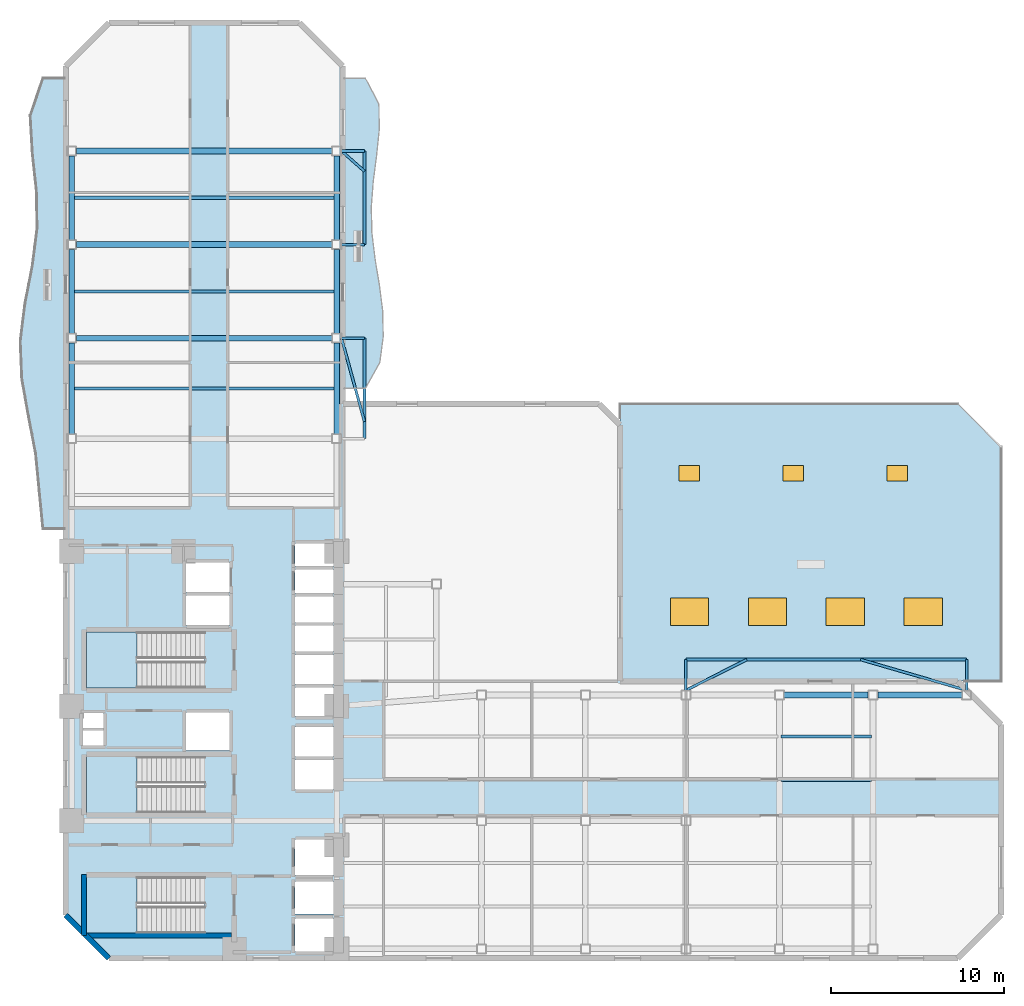
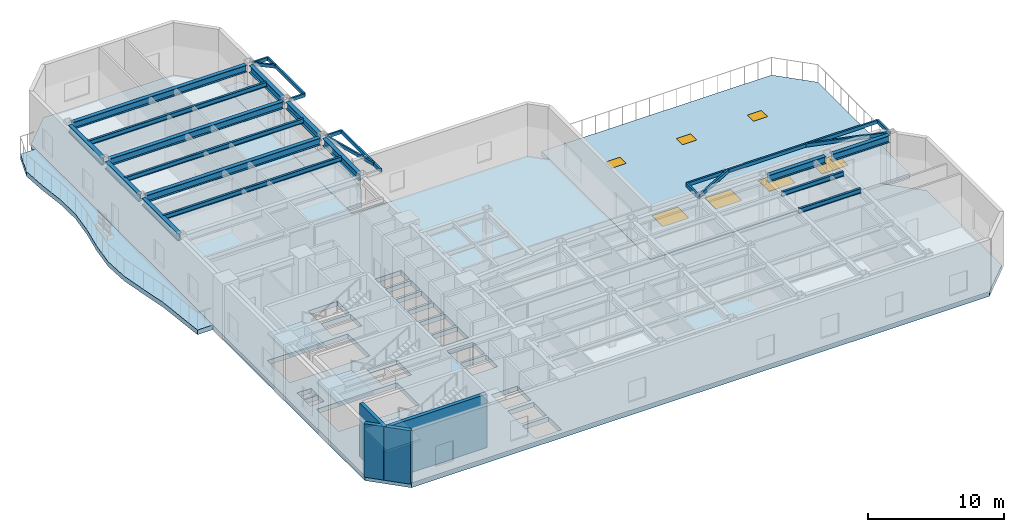
# One storey, part 2 of 10: 28 beams, 7 slabs, 4 windows, 3 doors, 3 walls, 7 openings, 3 elements without a shape of their own.
"""IFC4 building model written with IfcOpenShell, lengths in metres."""

from ifc_helpers import new_model, si_unit, direction, frame, frame_2d, origin, origin_2d, place, context, subcontext, project, spatial, polyline, rectangle, hollow_rectangle, i_section, outline, extrude, material, layer, layer_set, material_profile, profile_set, type_object, element, fill, aggregate, save


model = new_model("IFC4")

# Units and contexts
model_context = context("Model", 3, precision=1e-05, world=origin(), true_north=direction((0.0, 1.0)))
body_context = subcontext(model_context, "Body", "Model", "MODEL_VIEW")
ifc_project = project(units=[si_unit("LENGTHUNIT", "METRE"), si_unit("AREAUNIT", "SQUARE_METRE"), si_unit("VOLUMEUNIT", "CUBIC_METRE"), si_unit("PLANEANGLEUNIT", "RADIAN"), si_unit("MASSUNIT", "GRAM", prefix="KILO")], contexts=[model_context])

# Site, building, storey
site_placement = place(None, origin())
site = spatial("IfcSite", under=ifc_project, at=site_placement, CompositionType="ELEMENT")
building_placement = place(site_placement, origin())
building = spatial("IfcBuilding", under=site, at=building_placement, Name="Mawjaban Terraces University", CompositionType="ELEMENT")
storey_placement = place(building_placement, frame((0.0, 0.0, 26.0)))
storey = spatial("IfcBuildingStorey", under=building, at=storey_placement, Name="L05", CompositionType="ELEMENT", Elevation=26.0)

# Beams
ifc_material_1 = material(Name="Steel EN 10210-1 S355J2H", Category="steel")
ifc_material_profile_1 = material_profile(ifc_material_1, hollow_rectangle(XDim=0.14990234375, YDim=0.300048828125, WallThickness=0.012451171875, at=origin_2d()), Name="RHS300X150X12.5")
ifc_profile_set_1 = profile_set([ifc_material_profile_1], Name="Steel EN 10210-1 S355J2H")
beam_type_1 = type_object("IfcBeamType", Name="BalconyCantileverSpandrel_RHS", PredefinedType="SPANDREL", material=ifc_profile_set_1)
for number, where, z_axis, x_axis, name in (
    (1, (57.800048828125, 15.47509765625, 4.639892578125), (0.0, 1.0, 0.0), (-1.0, 0.0, 0.0), "L05 Exterior Outrigger BAL-L06-N.1"),
    (2, (74.0, 15.47509765625, 4.639892578125), (0.0, 1.0, 0.0), (-1.0, 0.0, 0.0), "L05 Exterior Outrigger BAL-L06-N.2"),
):
    element("IfcBeam", number, at=place(storey_placement, frame(where, z_axis=z_axis, x_axis=x_axis)), inside=storey, type_object=beam_type_1, Name=name, PredefinedType="SPANDREL", context=body_context, shape_type="SweptSolid", body=[
        extrude(hollow_rectangle(XDim=0.14990234375, YDim=0.300048828125, WallThickness=0.012451171875, at=origin_2d()), origin(), (0.0, 0.0, 1.0), 1.77490234375),
    ])
beam_1_placement = place(storey_placement, frame((57.800048828125, 17.25, 4.639892578125), z_axis=(1.0, 0.0, 0.0), x_axis=(0.0, 1.0, 0.0)))
element("IfcBeam", 3, at=beam_1_placement, inside=storey, type_object=beam_type_1, Name="L05 Exterior Edge Spandrel BAL-L06-N", PredefinedType="SPANDREL", context=body_context, shape_type="SweptSolid", body=[
    extrude(hollow_rectangle(XDim=0.14990234375, YDim=0.300048828125, WallThickness=0.012451171875, at=origin_2d()), origin(), (0.0, 0.0, 1.0), 16.199951171875),
])
beam_2_placement = place(storey_placement, frame((57.800048828125, 15.47509765625, 4.639892578125), z_axis=(0.892910985916, 0.450233240922, 0.0), x_axis=(-0.450233240922, 0.892910985916, 0.0)))
element("IfcBeam", 4, at=beam_2_placement, inside=storey, type_object=beam_type_1, Name="L05 Exterior Diagonal Strut BAL-L06-N.1", PredefinedType="SPANDREL", context=body_context, shape_type="SweptSolid", body=[
    extrude(hollow_rectangle(XDim=0.14990234375, YDim=0.300048828125, WallThickness=0.012451171875, at=origin_2d()), origin(), (0.0, 0.0, 1.0), 3.942138671875),
])
beam_3_placement = place(storey_placement, frame((74.0, 15.47509765625, 4.639892578125), z_axis=(-0.960426269064, 0.278534345624, 0.0), x_axis=(-0.278534345624, -0.960426269064, 0.0)))
element("IfcBeam", 5, at=beam_3_placement, inside=storey, type_object=beam_type_1, Name="L05 Exterior Diagonal Strut BAL-L06-N.2", PredefinedType="SPANDREL", context=body_context, shape_type="SweptSolid", body=[
    extrude(hollow_rectangle(XDim=0.14990234375, YDim=0.300048828125, WallThickness=0.012451171875, at=origin_2d()), origin(), (0.0, 0.0, 1.0), 6.372314453125),
])
for number, where, z_axis, x_axis, name in (
    (6, (37.925048828125, 41.199951171875, 4.639892578125), (1.0, 0.0, 0.0), (0.0, 1.0, 0.0), "L05 Exterior Outrigger BAL-L06-E.1"),
    (7, (37.925048828125, 46.60009765625, 4.639892578125), (1.0, 0.0, 0.0), (0.0, 1.0, 0.0), "L05 Exterior Outrigger BAL-L06-E.2"),
):
    element("IfcBeam", number, at=place(storey_placement, frame(where, z_axis=z_axis, x_axis=x_axis)), inside=storey, type_object=beam_type_1, Name=name, PredefinedType="SPANDREL", context=body_context, shape_type="SweptSolid", body=[
        extrude(hollow_rectangle(XDim=0.14990234375, YDim=0.300048828125, WallThickness=0.012451171875, at=origin_2d()), origin(), (0.0, 0.0, 1.0), 1.324951171875),
    ])
beam_4_placement = place(storey_placement, frame((39.25, 41.199951171875, 4.639892578125), z_axis=(0.0, 1.0, 0.0), x_axis=(-1.0, 0.0, 0.0)))
element("IfcBeam", 8, at=beam_4_placement, inside=storey, type_object=beam_type_1, Name="L05 Exterior Edge Spandrel BAL-L06-E", PredefinedType="SPANDREL", context=body_context, shape_type="SweptSolid", body=[
    extrude(hollow_rectangle(XDim=0.14990234375, YDim=0.300048828125, WallThickness=0.012451171875, at=origin_2d()), origin(), (0.0, 0.0, 1.0), 5.400146484375),
])
beam_5_placement = place(storey_placement, frame((37.925048828125, 46.60009765625, 4.639892578125), z_axis=(0.749531457525, -0.661968725984, 0.0), x_axis=(0.661968725984, 0.749531457525, 0.0)))
element("IfcBeam", 9, at=beam_5_placement, inside=storey, type_object=beam_type_1, Name="L05 Exterior Diagonal Strut BAL-L06-E.2", PredefinedType="SPANDREL", context=body_context, shape_type="SweptSolid", body=[
    extrude(hollow_rectangle(XDim=0.14990234375, YDim=0.300048828125, WallThickness=0.012451171875, at=origin_2d()), origin(), (0.0, 0.0, 1.0), 1.767822265625),
])
beam_6_placement = place(storey_placement, frame((37.925048828125, 35.800048828125, 4.639892578125), z_axis=(1.0, 0.0, 0.0), x_axis=(0.0, 1.0, 0.0)))
element("IfcBeam", 10, at=beam_6_placement, inside=storey, type_object=beam_type_1, Name="L05 Exterior Outrigger TER-L06-CLIMB.2", PredefinedType="SPANDREL", context=body_context, shape_type="SweptSolid", body=[
    extrude(hollow_rectangle(XDim=0.14990234375, YDim=0.300048828125, WallThickness=0.012451171875, at=origin_2d()), origin(), (0.0, 0.0, 1.0), 1.324951171875),
])
beam_7_placement = place(storey_placement, frame((39.25, 30.0, 4.639892578125), z_axis=(0.0, 1.0, 0.0), x_axis=(-1.0, 0.0, 0.0)))
element("IfcBeam", 11, at=beam_7_placement, inside=storey, type_object=beam_type_1, Name="L05 Exterior Edge Spandrel TER-L06-CLIMB", PredefinedType="SPANDREL", context=body_context, shape_type="SweptSolid", body=[
    extrude(hollow_rectangle(XDim=0.14990234375, YDim=0.300048828125, WallThickness=0.012451171875, at=origin_2d()), origin(), (0.0, 0.0, 1.0), 5.800048828125),
])
beam_8_placement = place(storey_placement, frame((37.925048828125, 35.800048828125, 4.639892578125), z_axis=(0.265050913612, -0.964234418175, 0.0), x_axis=(0.964234418175, 0.265050913612, 0.0)))
element("IfcBeam", 12, at=beam_8_placement, inside=storey, type_object=beam_type_1, Name="L05 Exterior Diagonal Strut TER-L06-CLIMB.2", PredefinedType="SPANDREL", context=body_context, shape_type="SweptSolid", body=[
    extrude(hollow_rectangle(XDim=0.14990234375, YDim=0.300048828125, WallThickness=0.012451171875, at=origin_2d()), origin(), (0.0, 0.0, 1.0), 4.998779296875),
])
ifc_material_2 = material(Name="Steel ASTM A572 Grade 50", Category="steel")
ifc_material_profile_2 = material_profile(ifc_material_2, i_section(OverallWidth=0.3291015625, OverallDepth=0.635009765625, WebThickness=0.017822265625, FlangeThickness=0.031005859375, at=origin_2d()), Name="W610X241")
ifc_profile_set_2 = profile_set([ifc_material_profile_2], Name="Steel ASTM A572 Grade 50")
beam_type_2 = type_object("IfcBeamType", Name="Beam_B_W610X241", PredefinedType="BEAM", material=ifc_profile_set_2)
beam_9_placement = place(storey_placement, frame((63.47509765625, 15.199951171875, 4.472900390625), z_axis=(1.0, 0.0, 0.0), x_axis=(0.0, 1.0, 0.0)))
element("IfcBeam", 13, at=beam_9_placement, inside=storey, type_object=beam_type_2, Name="L05 Beam BM-L05-EW-12", PredefinedType="BEAM", context=body_context, shape_type="SweptSolid", body=[
    extrude(i_section(OverallWidth=0.3291015625, OverallDepth=0.635009765625, WebThickness=0.017822265625, FlangeThickness=0.031005859375, at=origin_2d()), origin(), (0.0, 0.0, 1.0), 4.849853515625),
])
beam_10_placement = place(storey_placement, frame((68.875, 15.199951171875, 4.472900390625), z_axis=(1.0, 0.0, 0.0), x_axis=(0.0, 1.0, 0.0)))
element("IfcBeam", 14, at=beam_10_placement, inside=storey, type_object=beam_type_2, Name="L05 Beam BM-L05-EW-13", PredefinedType="BEAM", context=body_context, shape_type="SweptSolid", body=[
    extrude(i_section(OverallWidth=0.3291015625, OverallDepth=0.635009765625, WebThickness=0.017822265625, FlangeThickness=0.031005859375, at=origin_2d()), origin(), (0.0, 0.0, 1.0), 4.85009765625),
])
for number, where, z_axis, x_axis, name in (
    (15, (22.625, 35.800048828125, 4.472900390625), (1.0, 0.0, 0.0), (0.0, 1.0, 0.0), "L05 Beam BM-L05-EW-16"),
    (16, (22.625, 41.199951171875, 4.472900390625), (1.0, 0.0, 0.0), (0.0, 1.0, 0.0), "L05 Beam BM-L05-EW-17"),
    (17, (22.625, 46.60009765625, 4.472900390625), (1.0, 0.0, 0.0), (0.0, 1.0, 0.0), "L05 Beam BM-L05-EW-18"),
):
    element("IfcBeam", number, at=place(storey_placement, frame(where, z_axis=z_axis, x_axis=x_axis)), inside=storey, type_object=beam_type_2, Name=name, PredefinedType="BEAM", context=body_context, shape_type="SweptSolid", body=[
        extrude(i_section(OverallWidth=0.3291015625, OverallDepth=0.635009765625, WebThickness=0.017822265625, FlangeThickness=0.031005859375, at=origin_2d()), origin(), (0.0, 0.0, 1.0), 14.75),
    ])
beam_11_placement = place(storey_placement, frame((22.35009765625, 30.27490234375, 4.472900390625), z_axis=(0.0, 1.0, 0.0), x_axis=(-1.0, 0.0, 0.0)))
element("IfcBeam", 18, at=beam_11_placement, inside=storey, type_object=beam_type_2, Name="L05 Beam BM-L05-NS-04", PredefinedType="BEAM", context=body_context, shape_type="SweptSolid", body=[
    extrude(i_section(OverallWidth=0.3291015625, OverallDepth=0.635009765625, WebThickness=0.017822265625, FlangeThickness=0.031005859375, at=origin_2d()), origin(), (0.0, 0.0, 1.0), 5.25),
])
beam_12_placement = place(storey_placement, frame((22.35009765625, 36.074951171875, 4.472900390625), z_axis=(0.0, 1.0, 0.0), x_axis=(-1.0, 0.0, 0.0)))
element("IfcBeam", 19, at=beam_12_placement, inside=storey, type_object=beam_type_2, Name="L05 Beam BM-L05-NS-05", PredefinedType="BEAM", context=body_context, shape_type="SweptSolid", body=[
    extrude(i_section(OverallWidth=0.3291015625, OverallDepth=0.635009765625, WebThickness=0.017822265625, FlangeThickness=0.031005859375, at=origin_2d()), origin(), (0.0, 0.0, 1.0), 4.85009765625),
])
beam_13_placement = place(storey_placement, frame((22.35009765625, 41.47509765625, 4.472900390625), z_axis=(0.0, 1.0, 0.0), x_axis=(-1.0, 0.0, 0.0)))
element("IfcBeam", 20, at=beam_13_placement, inside=storey, type_object=beam_type_2, Name="L05 Beam BM-L05-NS-06", PredefinedType="BEAM", context=body_context, shape_type="SweptSolid", body=[
    extrude(i_section(OverallWidth=0.3291015625, OverallDepth=0.635009765625, WebThickness=0.017822265625, FlangeThickness=0.031005859375, at=origin_2d()), origin(), (0.0, 0.0, 1.0), 4.849853515625),
])
beam_14_placement = place(storey_placement, frame((37.64990234375, 30.27490234375, 4.472900390625), z_axis=(0.0, 1.0, 0.0), x_axis=(-1.0, 0.0, 0.0)))
element("IfcBeam", 21, at=beam_14_placement, inside=storey, type_object=beam_type_2, Name="L05 Beam BM-L05-NS-11", PredefinedType="BEAM", context=body_context, shape_type="SweptSolid", body=[
    extrude(i_section(OverallWidth=0.3291015625, OverallDepth=0.635009765625, WebThickness=0.017822265625, FlangeThickness=0.031005859375, at=origin_2d()), origin(), (0.0, 0.0, 1.0), 5.25),
])
beam_15_placement = place(storey_placement, frame((37.64990234375, 36.074951171875, 4.472900390625), z_axis=(0.0, 1.0, 0.0), x_axis=(-1.0, 0.0, 0.0)))
element("IfcBeam", 22, at=beam_15_placement, inside=storey, type_object=beam_type_2, Name="L05 Beam BM-L05-NS-12", PredefinedType="BEAM", context=body_context, shape_type="SweptSolid", body=[
    extrude(i_section(OverallWidth=0.3291015625, OverallDepth=0.635009765625, WebThickness=0.017822265625, FlangeThickness=0.031005859375, at=origin_2d()), origin(), (0.0, 0.0, 1.0), 4.85009765625),
])
beam_16_placement = place(storey_placement, frame((37.64990234375, 41.47509765625, 4.472900390625), z_axis=(0.0, 1.0, 0.0), x_axis=(-1.0, 0.0, 0.0)))
element("IfcBeam", 23, at=beam_16_placement, inside=storey, type_object=beam_type_2, Name="L05 Beam BM-L05-NS-13", PredefinedType="BEAM", context=body_context, shape_type="SweptSolid", body=[
    extrude(i_section(OverallWidth=0.3291015625, OverallDepth=0.635009765625, WebThickness=0.017822265625, FlangeThickness=0.031005859375, at=origin_2d()), origin(), (0.0, 0.0, 1.0), 4.849853515625),
])
ifc_material_profile_3 = material_profile(ifc_material_2, i_section(OverallWidth=0.179931640625, OverallDepth=0.4130859375, WebThickness=0.009765625, FlangeThickness=0.01611328125, at=origin_2d()), Name="W410X74")
ifc_profile_set_3 = profile_set([ifc_material_profile_3], Name="Steel ASTM A572 Grade 50")
beam_type_3 = type_object("IfcBeamType", Name="Beam_J_W410X74", PredefinedType="JOIST", material=ifc_profile_set_3)
for number, where, z_axis, x_axis, name in (
    (24, (63.280029296875, 10.300048828125, 4.583984375), (1.0, 0.0, 0.0), (0.0, 1.0, 0.0), "L05 Composite Joist JST-L05-15"),
    (25, (63.280029296875, 12.800048828125, 4.583984375), (1.0, 0.0, 0.0), (0.0, 1.0, 0.0), "L05 Composite Joist JST-L05-20"),
):
    element("IfcBeam", number, at=place(storey_placement, frame(where, z_axis=z_axis, x_axis=x_axis)), inside=storey, type_object=beam_type_3, Name=name, PredefinedType="JOIST", context=body_context, shape_type="SweptSolid", body=[
        extrude(i_section(OverallWidth=0.179931640625, OverallDepth=0.4130859375, WebThickness=0.009765625, FlangeThickness=0.01611328125, at=origin_2d()), origin(), (0.0, 0.0, 1.0), 5.239990234375),
    ])
for number, where, z_axis, x_axis, name in (
    (26, (22.429931640625, 32.89990234375, 4.583984375), (1.0, 0.0, 0.0), (0.0, 1.0, 0.0), "L05 Composite Joist JST-L05-23"),
    (27, (22.429931640625, 38.5, 4.583984375), (1.0, 0.0, 0.0), (0.0, 1.0, 0.0), "L05 Composite Joist JST-L05-24"),
    (28, (22.429931640625, 43.89990234375, 4.583984375), (1.0, 0.0, 0.0), (0.0, 1.0, 0.0), "L05 Composite Joist JST-L05-25"),
):
    element("IfcBeam", number, at=place(storey_placement, frame(where, z_axis=z_axis, x_axis=x_axis)), inside=storey, type_object=beam_type_3, Name=name, PredefinedType="JOIST", context=body_context, shape_type="SweptSolid", body=[
        extrude(i_section(OverallWidth=0.179931640625, OverallDepth=0.4130859375, WebThickness=0.009765625, FlangeThickness=0.01611328125, at=origin_2d()), origin(), (0.0, 0.0, 1.0), 15.14013671875),
    ])

# Slabs
ifc_material_3 = material(Name="Concrete C50/60", Category="concrete")
ifc_layer_1 = layer(ifc_material_3, 0.419921875)
ifc_layer_set_1 = layer_set([ifc_layer_1], Name="Concrete C50/60")
slab_type_1 = type_object("IfcSlabType", Name="BalconySlab_420_Ext", PredefinedType="FLOOR", material=ifc_layer_set_1)
slab_1_placement = place(storey_placement, frame((0.0, 0.0, -0.419921875)))
element("IfcSlab", 29, at=slab_1_placement, inside=storey, type_object=slab_type_1, Name="L05 Planted Balcony Slab west", PredefinedType="FLOOR", context=body_context, shape_type="SweptSolid", body=[
    extrude(outline(polyline([(22.010009765625, 24.800048828125), (22.010009765625, 50.800048828125), (20.699951171875, 50.800048828125), (19.966064453125, 48.633056640625), (20.090087890625, 46.467041015625), (20.324951171875, 44.300048828125), (20.363037109375, 42.133056640625), (20.087890625, 39.967041015625), (19.6630859375, 37.800048828125), (19.39306640625, 35.633056640625), (19.48095703125, 33.467041015625), (19.864990234375, 31.300048828125), (20.280029296875, 29.133056640625), (20.489013671875, 26.967041015625), (20.699951171875, 24.800048828125), (22.010009765625, 24.800048828125)])), origin(), (0.0, 0.0, 1.0), 0.419921875),
])
slab_2_placement = place(storey_placement, frame((0.0, 0.0, -0.419921875)))
element("IfcSlab", 30, at=slab_2_placement, inside=storey, type_object=slab_type_1, Name="L05 Planted Balcony Slab inner_east", PredefinedType="FLOOR", context=body_context, shape_type="SweptSolid", body=[
    extrude(outline(polyline([(39.300048828125, 32.89990234375), (40.135009765625, 34.39208984375), (40.330078125, 35.883056640625), (40.300048828125, 37.375), (40.10888671875, 38.866943359375), (39.863037109375, 40.35791015625), (39.679931640625, 41.85009765625), (39.64111328125, 43.342041015625), (39.7529296875, 44.8330078125), (39.947021484375, 46.324951171875), (40.10205078125, 47.81689453125), (40.08203125, 49.30810546875), (39.300048828125, 50.800048828125), (37.989990234375, 50.800048828125), (37.989990234375, 32.89990234375), (39.300048828125, 32.89990234375)])), origin(), (0.0, 0.0, 1.0), 0.419921875),
])

# Stair, slab
ifc_material_4 = material(Name="Concrete C40/50", Category="concrete")
stair_type = type_object("IfcStairType", Name="Stair_Core1550_H50", PredefinedType="HALF_TURN_STAIR", material=ifc_material_4)
stair_1_placement = place(storey_placement, origin())
stair_1 = element("IfcStair", 31, at=stair_1_placement, inside=storey, type_object=stair_type, Name="L05 Core Exit Stair 1", PredefinedType="HALF_TURN_STAIR")
ifc_layer_2 = layer(ifc_material_4, 0.199951171875)
ifc_layer_set_2 = layer_set([ifc_layer_2], Name="Concrete C40/50")
slab_type_2 = type_object("IfcSlabType", Name="StairLandingSlab_200", PredefinedType="LANDING", material=ifc_layer_set_2)
slab_3_placement = place(storey_placement, frame((0.0, 0.0, 2.300048828125)))
slab_3 = element("IfcSlab", 32, at=slab_3_placement, type_object=slab_type_2, Name="ST-1 landing 1", PredefinedType="LANDING", context=body_context, shape_type="SweptSolid", body=[
    extrude(outline(polyline([(26.1298828125, 4.699951171875), (23.199951171875, 4.699951171875), (23.199951171875, 1.449951171875), (26.1298828125, 1.449951171875), (26.1298828125, 4.699951171875)])), origin(), (0.0, 0.0, 1.0), 0.199951171875),
])
aggregate(stair_1, [slab_3])

stair_2_placement = place(storey_placement, origin())
stair_2 = element("IfcStair", 33, at=stair_2_placement, inside=storey, type_object=stair_type, Name="L05 Core Exit Stair 2", PredefinedType="HALF_TURN_STAIR")
slab_4_placement = place(storey_placement, frame((0.0, 0.0, 2.300048828125)))
slab_4 = element("IfcSlab", 34, at=slab_4_placement, type_object=slab_type_2, Name="ST-2 landing 1", PredefinedType="LANDING", context=body_context, shape_type="SweptSolid", body=[
    extrude(outline(polyline([(26.1298828125, 18.85009765625), (23.199951171875, 18.85009765625), (23.199951171875, 15.60009765625), (26.1298828125, 15.60009765625), (26.1298828125, 18.85009765625)])), origin(), (0.0, 0.0, 1.0), 0.199951171875),
])
aggregate(stair_2, [slab_4])

stair_3_placement = place(storey_placement, origin())
stair_3 = element("IfcStair", 35, at=stair_3_placement, inside=storey, type_object=stair_type, Name="L05 Core Exit Stair 3", PredefinedType="HALF_TURN_STAIR")
slab_5_placement = place(storey_placement, frame((0.0, 0.0, 2.300048828125)))
slab_5 = element("IfcSlab", 36, at=slab_5_placement, type_object=slab_type_2, Name="ST-3 landing 1", PredefinedType="LANDING", context=body_context, shape_type="SweptSolid", body=[
    extrude(outline(polyline([(26.1298828125, 11.64990234375), (23.199951171875, 11.64990234375), (23.199951171875, 8.39990234375), (26.1298828125, 8.39990234375), (26.1298828125, 11.64990234375)])), origin(), (0.0, 0.0, 1.0), 0.199951171875),
])
aggregate(stair_3, [slab_5])

# Slab, openings, doors, windows
ifc_layer_3 = layer(ifc_material_4, 0.260009765625)
ifc_layer_set_3 = layer_set([ifc_layer_3], Name="Concrete C40/50")
slab_type_3 = type_object("IfcSlabType", Name="TerraceRoofSlab_260_Ext", PredefinedType="ROOF", material=ifc_layer_set_3)
slab_6_placement = place(storey_placement, frame((0.0, 0.0, -0.419921875)))
slab_6 = element("IfcSlab", 37, at=slab_6_placement, inside=storey, type_object=slab_type_3, Name="L05 Exterior Podium Terrace Slab", PredefinedType="ROOF", context=body_context, shape_type="SweptSolid", body=[
    extrude(outline(polyline([(54.0, 16.0), (76.0, 16.0), (76.0, 29.5), (73.5, 32.0), (54.0, 32.0), (54.0, 16.0)])), origin(), (0.0, 0.0, 1.0), 0.419921875),
])
opening_1_placement = place(slab_6_placement, frame((58.0, 20.0, 0.0)))
opening_1 = element("IfcOpeningElement", 38, at=opening_1_placement, cuts=slab_6, Name="Opening SK-01", PredefinedType="OPENING", context=body_context, shape_type="SweptSolid", body=[
    extrude(rectangle(XDim=2.199951171875, YDim=1.60009765625, at=origin_2d()), origin(), (0.0, 0.0, 1.0), 0.419921875),
])
opening_2_placement = place(slab_6_placement, frame((62.5, 20.0, 0.0)))
opening_2 = element("IfcOpeningElement", 39, at=opening_2_placement, cuts=slab_6, Name="Opening SK-01", PredefinedType="OPENING", context=body_context, shape_type="SweptSolid", body=[
    extrude(rectangle(XDim=2.199951171875, YDim=1.60009765625, at=origin_2d()), origin(), (0.0, 0.0, 1.0), 0.419921875),
])
opening_3_placement = place(slab_6_placement, frame((67.0, 20.0, 0.0)))
opening_3 = element("IfcOpeningElement", 40, at=opening_3_placement, cuts=slab_6, Name="Opening SK-01", PredefinedType="OPENING", context=body_context, shape_type="SweptSolid", body=[
    extrude(rectangle(XDim=2.199951171875, YDim=1.60009765625, at=origin_2d()), origin(), (0.0, 0.0, 1.0), 0.419921875),
])
opening_4_placement = place(slab_6_placement, frame((71.5, 20.0, 0.0)))
opening_4 = element("IfcOpeningElement", 41, at=opening_4_placement, cuts=slab_6, Name="Opening SK-01", PredefinedType="OPENING", context=body_context, shape_type="SweptSolid", body=[
    extrude(rectangle(XDim=2.199951171875, YDim=1.60009765625, at=origin_2d()), origin(), (0.0, 0.0, 1.0), 0.419921875),
])
opening_5_placement = place(slab_6_placement, frame((58.0, 28.0, 0.0)))
opening_5 = element("IfcOpeningElement", 42, at=opening_5_placement, cuts=slab_6, Name="Opening RH-120", PredefinedType="OPENING", context=body_context, shape_type="SweptSolid", body=[
    extrude(rectangle(XDim=1.199951171875, YDim=0.89990234375, at=origin_2d()), origin(), (0.0, 0.0, 1.0), 0.419921875),
])
opening_6_placement = place(slab_6_placement, frame((64.0, 28.0, 0.0)))
opening_6 = element("IfcOpeningElement", 43, at=opening_6_placement, cuts=slab_6, Name="Opening RH-120", PredefinedType="OPENING", context=body_context, shape_type="SweptSolid", body=[
    extrude(rectangle(XDim=1.199951171875, YDim=0.89990234375, at=origin_2d()), origin(), (0.0, 0.0, 1.0), 0.419921875),
])
opening_7_placement = place(slab_6_placement, frame((70.0, 28.0, 0.0)))
opening_7 = element("IfcOpeningElement", 44, at=opening_7_placement, cuts=slab_6, Name="Opening RH-120", PredefinedType="OPENING", context=body_context, shape_type="SweptSolid", body=[
    extrude(rectangle(XDim=1.199951171875, YDim=0.89990234375, at=origin_2d()), origin(), (0.0, 0.0, 1.0), 0.419921875),
])
ifc_material_5 = material(Name="Thermally broken insulated aluminium roof access hatch", Category="aluminium")
door_type = type_object("IfcDoorType", Name="RoofAccessTrapdoor_1200x900", OperationType="NOTDEFINED", PredefinedType="TRAPDOOR", material=ifc_material_5)
door_1_placement = place(opening_5_placement, frame((0.0, 0.0, 0.369873046875)))
door_1 = element("IfcDoor", 45, at=door_1_placement, inside=storey, type_object=door_type, Name="L05 Podium Services Access Hatch 1", OperationType="SINGLE_SWING_LEFT", OverallHeight=0.89990234375, OverallWidth=1.199951171875, PredefinedType="TRAPDOOR", context=body_context, shape_type="SweptSolid", body=[
    extrude(rectangle(XDim=1.199951171875, YDim=0.89990234375, at=origin_2d()), origin(), (0.0, 0.0, 1.0), 0.050048828125),
])
fill(opening_5, door_1)
door_2_placement = place(opening_6_placement, frame((0.0, 0.0, 0.369873046875)))
door_2 = element("IfcDoor", 46, at=door_2_placement, inside=storey, type_object=door_type, Name="L05 Podium Services Access Hatch 2", OperationType="SINGLE_SWING_LEFT", OverallHeight=0.89990234375, OverallWidth=1.199951171875, PredefinedType="TRAPDOOR", context=body_context, shape_type="SweptSolid", body=[
    extrude(rectangle(XDim=1.199951171875, YDim=0.89990234375, at=origin_2d()), origin(), (0.0, 0.0, 1.0), 0.050048828125),
])
fill(opening_6, door_2)
door_3_placement = place(opening_7_placement, frame((0.0, 0.0, 0.369873046875)))
door_3 = element("IfcDoor", 47, at=door_3_placement, inside=storey, type_object=door_type, Name="L05 Podium Services Access Hatch 3", OperationType="SINGLE_SWING_LEFT", OverallHeight=0.89990234375, OverallWidth=1.199951171875, PredefinedType="TRAPDOOR", context=body_context, shape_type="SweptSolid", body=[
    extrude(rectangle(XDim=1.199951171875, YDim=0.89990234375, at=origin_2d()), origin(), (0.0, 0.0, 1.0), 0.050048828125),
])
fill(opening_7, door_3)
ifc_material_6 = material(Name="Low-E solar-control double glazing in thermally broken aluminium frame", Category="aluminium")
window_type = type_object("IfcWindowType", Name="Skylight_2200x1600", PartitioningType="SINGLE_PANEL", PredefinedType="SKYLIGHT", material=ifc_material_6)
window_1_placement = place(opening_1_placement, frame((0.0, 0.0, 0.369873046875)))
window_1 = element("IfcWindow", 48, at=window_1_placement, inside=storey, type_object=window_type, Name="L05 Podium Library Skylight 1", OverallHeight=1.60009765625, OverallWidth=2.199951171875, PartitioningType="SINGLE_PANEL", PredefinedType="SKYLIGHT", context=body_context, shape_type="SweptSolid", body=[
    extrude(rectangle(XDim=2.199951171875, YDim=1.60009765625, at=origin_2d()), origin(), (0.0, 0.0, 1.0), 0.050048828125),
])
fill(opening_1, window_1)
window_2_placement = place(opening_2_placement, frame((0.0, 0.0, 0.369873046875)))
window_2 = element("IfcWindow", 49, at=window_2_placement, inside=storey, type_object=window_type, Name="L05 Podium Library Skylight 2", OverallHeight=1.60009765625, OverallWidth=2.199951171875, PartitioningType="SINGLE_PANEL", PredefinedType="SKYLIGHT", context=body_context, shape_type="SweptSolid", body=[
    extrude(rectangle(XDim=2.199951171875, YDim=1.60009765625, at=origin_2d()), origin(), (0.0, 0.0, 1.0), 0.050048828125),
])
fill(opening_2, window_2)
window_3_placement = place(opening_3_placement, frame((0.0, 0.0, 0.369873046875)))
window_3 = element("IfcWindow", 50, at=window_3_placement, inside=storey, type_object=window_type, Name="L05 Podium Library Skylight 3", OverallHeight=1.60009765625, OverallWidth=2.199951171875, PartitioningType="SINGLE_PANEL", PredefinedType="SKYLIGHT", context=body_context, shape_type="SweptSolid", body=[
    extrude(rectangle(XDim=2.199951171875, YDim=1.60009765625, at=origin_2d()), origin(), (0.0, 0.0, 1.0), 0.050048828125),
])
fill(opening_3, window_3)
window_4_placement = place(opening_4_placement, frame((0.0, 0.0, 0.369873046875)))
window_4 = element("IfcWindow", 51, at=window_4_placement, inside=storey, type_object=window_type, Name="L05 Podium Library Skylight 4", OverallHeight=1.60009765625, OverallWidth=2.199951171875, PartitioningType="SINGLE_PANEL", PredefinedType="SKYLIGHT", context=body_context, shape_type="SweptSolid", body=[
    extrude(rectangle(XDim=2.199951171875, YDim=1.60009765625, at=origin_2d()), origin(), (0.0, 0.0, 1.0), 0.050048828125),
])
fill(opening_4, window_4)

# Slab
ifc_layer_4 = layer(ifc_material_3, 0.419921875)
ifc_layer_set_4 = layer_set([ifc_layer_4], Name="Concrete C50/60")
slab_type_4 = type_object("IfcSlabType", Name="TransferSlab_420", PredefinedType="FLOOR", material=ifc_layer_set_4)
slab_7_placement = place(storey_placement, frame((0.0, 0.0, -0.419921875)))
element("IfcSlab", 52, at=slab_7_placement, inside=storey, type_object=slab_type_4, Name="L05 Primary Structural Slab", PredefinedType="FLOOR", context=body_context, shape_type="SweptSolid", body=[
    extrude(outline(polyline([(24.5, 0.0), (73.5, 0.0), (76.0, 2.5), (76.0, 13.5), (73.5, 16.0), (54.0, 16.0), (54.0, 30.800048828125), (52.800048828125, 32.0), (38.0, 32.0), (38.0, 51.5), (35.5, 54.0), (24.5, 54.0), (22.0, 51.5), (22.0, 2.5), (24.5, 0.0)]), holes=[polyline([(30.014892578125, 4.699951171875), (23.199951171875, 4.699951171875), (23.199951171875, 1.449951171875), (30.014892578125, 1.449951171875), (30.014892578125, 4.699951171875)]), polyline([(30.014892578125, 18.85009765625), (23.199951171875, 18.85009765625), (23.199951171875, 15.60009765625), (30.014892578125, 15.60009765625), (30.014892578125, 18.85009765625)]), polyline([(30.014892578125, 11.64990234375), (23.199951171875, 11.64990234375), (23.199951171875, 8.39990234375), (30.014892578125, 8.39990234375), (30.014892578125, 11.64990234375)]), polyline([(35.25, 0.39990234375), (37.449951171875, 0.39990234375), (37.449951171875, 2.300048828125), (35.25, 2.300048828125), (35.25, 0.39990234375)]), polyline([(35.25, 2.550048828125), (37.449951171875, 2.550048828125), (37.449951171875, 4.449951171875), (35.25, 4.449951171875), (35.25, 2.550048828125)]), polyline([(35.25, 4.800048828125), (37.449951171875, 4.800048828125), (37.449951171875, 6.85009765625), (35.25, 6.85009765625), (35.25, 4.800048828125)]), polyline([(35.25, 9.75), (37.449951171875, 9.75), (37.449951171875, 11.449951171875), (35.25, 11.449951171875), (35.25, 9.75)]), polyline([(35.25, 11.64990234375), (37.449951171875, 11.64990234375), (37.449951171875, 13.35009765625), (35.25, 13.35009765625), (35.25, 11.64990234375)]), polyline([(28.949951171875, 12.0), (31.449951171875, 12.0), (31.449951171875, 14.199951171875), (28.949951171875, 14.199951171875), (28.949951171875, 12.0)]), polyline([(35.25, 14.0), (37.449951171875, 14.0), (37.449951171875, 15.64990234375), (35.25, 15.64990234375), (35.25, 14.0)]), polyline([(35.25, 15.85009765625), (37.449951171875, 15.85009765625), (37.449951171875, 17.5), (35.25, 17.5), (35.25, 15.85009765625)]), polyline([(35.25, 17.699951171875), (37.449951171875, 17.699951171875), (37.449951171875, 19.199951171875), (35.25, 19.199951171875), (35.25, 17.699951171875)]), polyline([(35.25, 19.39990234375), (37.449951171875, 19.39990234375), (37.449951171875, 20.89990234375), (35.25, 20.89990234375), (35.25, 19.39990234375)]), polyline([(28.949951171875, 19.25), (31.449951171875, 19.25), (31.449951171875, 20.949951171875), (28.949951171875, 20.949951171875), (28.949951171875, 19.25)]), polyline([(35.25, 21.10009765625), (37.449951171875, 21.10009765625), (37.449951171875, 22.449951171875), (35.25, 22.449951171875), (35.25, 21.10009765625)]), polyline([(35.25, 22.64990234375), (37.449951171875, 22.64990234375), (37.449951171875, 23.949951171875), (35.25, 23.949951171875), (35.25, 22.64990234375)]), polyline([(28.949951171875, 21.14990234375), (31.449951171875, 21.14990234375), (31.449951171875, 22.85009765625), (28.949951171875, 22.85009765625), (28.949951171875, 21.14990234375)]), polyline([(23.0, 12.25), (24.199951171875, 12.25), (24.199951171875, 13.14990234375), (23.0, 13.14990234375), (23.0, 12.25)]), polyline([(23.0, 13.300048828125), (24.199951171875, 13.300048828125), (24.199951171875, 14.179931640625), (23.0, 14.179931640625), (23.0, 13.300048828125)])]), origin(), (0.0, 0.0, 1.0), 0.419921875),
])

# Walls
ifc_material_7 = material(Name="Insulated terracotta rainscreen on concrete backup C40/50", Category="masonry")
ifc_layer_5 = layer(ifc_material_7, 0.320068359375)
ifc_layer_set_5 = layer_set([ifc_layer_5], Name="Insulated terracotta rainscreen on concrete backup C40/50")
wall_type_1 = type_object("IfcWallType", Name="ExtTerracottaWall_320", PredefinedType="SOLIDWALL", material=ifc_layer_set_5)
wall_1_placement = place(storey_placement, frame((22.0, 2.5, 0.0), z_axis=(0.0, 0.0, 1.0), x_axis=(0.707106781187, -0.707106781187, 0.0)))
element("IfcWall", 53, at=wall_1_placement, inside=storey, type_object=wall_type_1, Name="L05 Exterior Terracotta Wall 14", PredefinedType="SOLIDWALL", context=body_context, shape_type="SweptSolid", body=[
    extrude(rectangle(XDim=3.53564453125, YDim=0.320068359375, at=frame_2d((1.767822265625, 0.0))), origin(), (0.0, 0.0, 1.0), 4.7900390625),
])
ifc_material_8 = material(Name="Concrete C60/75", Category="concrete")
ifc_layer_6 = layer(ifc_material_8, 0.300048828125)
ifc_layer_set_6 = layer_set([ifc_layer_6], Name="Concrete C60/75")
wall_type_2 = type_object("IfcWallType", Name="StairShaftWall_300", PredefinedType="SHEAR", material=ifc_layer_set_6)
wall_2_placement = place(storey_placement, frame((23.070068359375, 4.830078125, 0.0), z_axis=(0.0, 0.0, 1.0), x_axis=(0.0, -1.0, 0.0)))
element("IfcWall", 54, at=wall_2_placement, inside=storey, type_object=wall_type_2, Name="L05 ST-1 Stair Shaft Wall 2", PredefinedType="SHEAR", context=body_context, shape_type="SweptSolid", body=[
    extrude(rectangle(XDim=3.510009765625, YDim=0.300048828125, at=frame_2d((1.7548828125, 0.0))), origin(), (0.0, 0.0, 1.0), 4.7900390625),
])
wall_3_placement = place(storey_placement, frame((23.219970703125, 1.320068359375, 0.0), z_axis=(0.0, 0.0, 1.0), x_axis=(1.0, 0.0, 0.0)))
element("IfcWall", 55, at=wall_3_placement, inside=storey, type_object=wall_type_2, Name="L05 ST-1 Stair Shaft Wall 3", PredefinedType="SHEAR", context=body_context, shape_type="SweptSolid", body=[
    extrude(rectangle(XDim=8.360107421875, YDim=0.300048828125, at=frame_2d((4.18017578125, 0.0))), origin(), (0.0, 0.0, 1.0), 4.7900390625),
])

save(model, "model.ifc")
